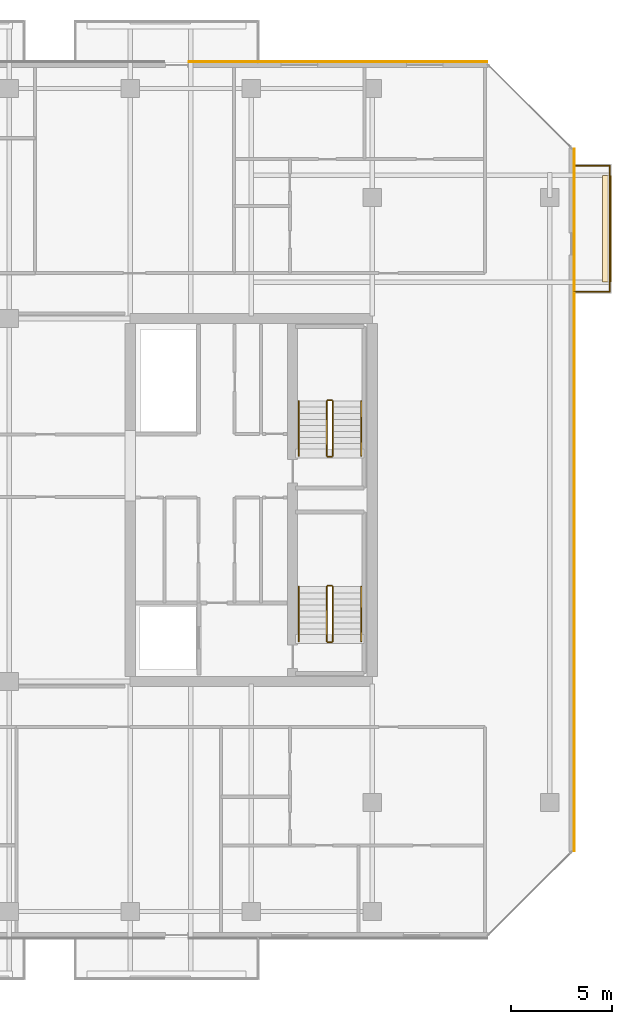
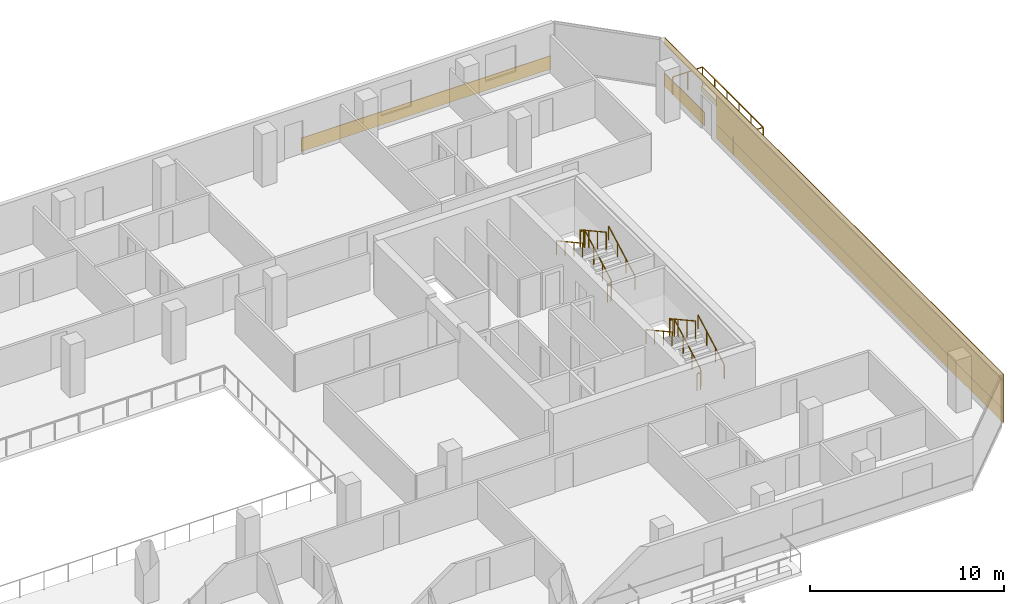
# One storey, part 29 of 29: 13 railings, 6 coverings.
"""IFC4 building model written with IfcOpenShell, lengths in metres."""

from ifc_helpers import new_model, si_unit, direction, frame, origin, origin_2d, place, context, subcontext, project, spatial, polyline, rectangle, outline, extrude, material, layer, layer_set, type_object, element, save


model = new_model("IFC4")

# Units and contexts
model_context = context("Model", 3, precision=1e-05, world=origin(), true_north=direction((0.0, 1.0)))
body_context = subcontext(model_context, "Body", "Model", "MODEL_VIEW")
ifc_project = project(units=[si_unit("LENGTHUNIT", "METRE"), si_unit("AREAUNIT", "SQUARE_METRE"), si_unit("VOLUMEUNIT", "CUBIC_METRE"), si_unit("PLANEANGLEUNIT", "RADIAN"), si_unit("MASSUNIT", "GRAM", prefix="KILO")], contexts=[model_context])

# Site, building, storey
site_placement = place(None, origin())
site = spatial("IfcSite", under=ifc_project, at=site_placement, CompositionType="ELEMENT")
building_placement = place(site_placement, origin())
building = spatial("IfcBuilding", under=site, at=building_placement, Name="Tanjung Sevakor Pilgrim Tower", CompositionType="ELEMENT")
storey_placement = place(building_placement, frame((0.0, 0.0, 151.800048828125)))
storey = spatial("IfcBuildingStorey", under=building, at=storey_placement, Name="L42", CompositionType="ELEMENT", Elevation=151.800048828125)

# Coverings
ifc_material_1 = material(Name="Reconstructed Limestone Cladding", Category="masonry")
ifc_layer_1 = layer(ifc_material_1, 0.044921875)
ifc_layer_set_1 = layer_set([ifc_layer_1], Name="COV-CLAD-LIMESTONE")
covering_type_1 = type_object("IfcCoveringType", Name="COV-CLAD-LIMESTONE", PredefinedType="CLADDING", material=ifc_layer_set_1)
covering_1_placement = place(storey_placement, frame((100.0224609375, 30.94091796875, 0.009765625), z_axis=(0.0, 0.0, 1.0), x_axis=(0.0, 1.0, 0.0)))
element("IfcCovering", 1, at=covering_1_placement, inside=storey, type_object=covering_type_1, Name="L42 Warm Limestone Sill Spandrel EW-L42-MAIN-7-1", PredefinedType="CLADDING", context=body_context, shape_type="SweptSolid", body=[
    extrude(rectangle(XDim=29.498291015625, YDim=0.044921875, at=origin_2d()), origin(), (0.0, 0.0, 1.0), 0.840087890625),
])
covering_2_placement = place(storey_placement, frame((100.0224609375, 48.958984375, 0.009765625), z_axis=(0.0, 0.0, 1.0), x_axis=(0.0, 1.0, 0.0)))
element("IfcCovering", 2, at=covering_2_placement, inside=storey, type_object=covering_type_1, Name="L42 Warm Limestone Sill Spandrel EW-L42-MAIN-7-2", PredefinedType="CLADDING", context=body_context, shape_type="SweptSolid", body=[
    extrude(rectangle(XDim=4.09814453125, YDim=0.044921875, at=origin_2d()), origin(), (0.0, 0.0, 1.0), 0.840087890625),
])
covering_3_placement = place(storey_placement, frame((100.0224609375, 33.60009765625, 2.66015625), z_axis=(0.0, 0.0, 1.0), x_axis=(0.0, 1.0, 0.0)))
element("IfcCovering", 3, at=covering_3_placement, inside=storey, type_object=covering_type_1, Name="L42 Warm Limestone Cornice Spandrel EW-L42-MAIN-7", PredefinedType="CLADDING", context=body_context, shape_type="SweptSolid", body=[
    extrude(rectangle(XDim=34.8564453125, YDim=0.044921875, at=origin_2d()), origin(), (0.0, 0.0, 1.0), 0.409912109375),
])
covering_4_placement = place(storey_placement, frame((100.0224609375, 30.94580078125, 0.849853515625), z_axis=(0.0, 0.0, 1.0), x_axis=(0.0, 1.0, 0.0)))
element("IfcCovering", 4, at=covering_4_placement, inside=storey, type_object=covering_type_1, Name="L42 Warm Limestone Pier Panel EW-L42-MAIN-7-1", PredefinedType="CLADDING", context=body_context, shape_type="SweptSolid", body=[
    extrude(rectangle(XDim=29.50830078125, YDim=0.044921875, at=origin_2d()), origin(), (0.0, 0.0, 1.0), 1.81005859375),
])
covering_5_placement = place(storey_placement, frame((88.30908203125, 55.322509765625, 0.009765625), z_axis=(0.0, 0.0, 1.0), x_axis=(-1.0, 0.0, 0.0)))
element("IfcCovering", 5, at=covering_5_placement, inside=storey, type_object=covering_type_1, Name="L42 Warm Limestone Sill Spandrel EW-L42-MAIN-9-1", PredefinedType="CLADDING", context=body_context, shape_type="SweptSolid", body=[
    extrude(rectangle(XDim=14.798095703125, YDim=0.044921875, at=origin_2d()), origin(), (0.0, 0.0, 1.0), 0.840087890625),
])
ifc_material_2 = material(Name="Vegetated Modular Planter Assembly", Category="organic")
ifc_layer_2 = layer(ifc_material_2, 0.35009765625)
ifc_layer_set_2 = layer_set([ifc_layer_2], Name="COV-GRN-TROUGH")
covering_type_2 = type_object("IfcCoveringType", Name="COV-GRN-TROUGH", PredefinedType="CLADDING", material=ifc_layer_set_2)
covering_6_placement = place(storey_placement, origin())
element("IfcCovering", 6, at=covering_6_placement, inside=storey, type_object=covering_type_2, Name="L42 Planted Landscape Hedge Trough BGRN-L42-MAIN-E1", PredefinedType="CLADDING", context=body_context, shape_type="SweptSolid", body=[
    extrude(outline(polyline([(101.85009765625, 44.39990234375), (101.85009765625, 49.699951171875), (101.409912109375, 49.699951171875), (101.409912109375, 44.39990234375), (101.85009765625, 44.39990234375)])), origin(), (0.0, 0.0, 1.0), 0.349853515625),
])

# Railings
ifc_material_3 = material(Name="Laminated Glass and Aluminium", Category="aluminium")
railing_type_1 = type_object("IfcRailingType", Name="RL-BAL-BALUST", PredefinedType="BALUSTRADE", material=ifc_material_3)
railing_1_placement = place(storey_placement, frame((100.0, 43.929931640625, 0.0)))
element("IfcRailing", 7, at=railing_1_placement, inside=storey, type_object=railing_type_1, Name="L42 Loggia Balustrade MAIN-E1", PredefinedType="BALUSTRADE", context=body_context, shape_type="SweptSolid", body=[
    extrude(rectangle(XDim=0.0479, YDim=0.0479), frame((0.0, 0.0, 1.1259765625), z_axis=(1.0, 0.0, 0.0), x_axis=(0.0, 1.0, 0.0)), (0.0, 0.0, 1.0), 1.77001953125),
    extrude(rectangle(XDim=0.0479, YDim=0.0479), frame((1.77001953125, 0.0, 1.1259765625), z_axis=(0.0, 1.0, 0.0), x_axis=(-1.0, 0.0, 0.0)), (0.0, 0.0, 1.0), 6.239990234375),
    extrude(rectangle(XDim=0.0479, YDim=0.0479), frame((1.77001953125, 6.239990234375, 1.1259765625), z_axis=(-1.0, 0.0, 0.0), x_axis=(0.0, -1.0, 0.0)), (0.0, 0.0, 1.0), 1.77001953125),
    extrude(rectangle(XDim=0.042, YDim=0.042), origin(), (0.0, 0.0, 1.0), 1.101806640625),
    extrude(rectangle(XDim=0.042, YDim=0.042), frame((0.885009765625, 0.0, 0.0)), (0.0, 0.0, 1.0), 1.101806640625),
    extrude(rectangle(XDim=0.042, YDim=0.042), frame((1.77001953125, 0.0, 0.0)), (0.0, 0.0, 1.0), 1.101806640625),
    extrude(rectangle(XDim=0.042, YDim=0.042), frame((1.77001953125, 1.248046875, 0.0)), (0.0, 0.0, 1.0), 1.101806640625),
    extrude(rectangle(XDim=0.042, YDim=0.042), frame((1.77001953125, 2.49609375, 0.0)), (0.0, 0.0, 1.0), 1.101806640625),
    extrude(rectangle(XDim=0.042, YDim=0.042), frame((1.77001953125, 3.743896484375, 0.0)), (0.0, 0.0, 1.0), 1.101806640625),
    extrude(rectangle(XDim=0.042, YDim=0.042), frame((1.77001953125, 4.991943359375, 0.0)), (0.0, 0.0, 1.0), 1.101806640625),
    extrude(rectangle(XDim=0.042, YDim=0.042), frame((1.77001953125, 6.239990234375, 0.0)), (0.0, 0.0, 1.0), 1.101806640625),
    extrude(rectangle(XDim=0.042, YDim=0.042), frame((0.885009765625, 6.239990234375, 0.0)), (0.0, 0.0, 1.0), 1.101806640625),
    extrude(rectangle(XDim=0.042, YDim=0.042), frame((0.0, 6.239990234375, 0.0)), (0.0, 0.0, 1.0), 1.101806640625),
])
ifc_material_4 = material(Name="Steel S355J2", Category="steel")
railing_type_2 = type_object("IfcRailingType", Name="RL-STAIR-GUARD", PredefinedType="GUARDRAIL", material=ifc_material_4)
railing_2_placement = place(storey_placement, frame((88.050048828125, 26.60009765625, 0.1650390625)))
element("IfcRailing", 8, at=railing_2_placement, inside=storey, type_object=railing_type_2, Name="L42 TS-E1 stair guard 1", PredefinedType="GUARDRAIL", context=body_context, shape_type="SweptSolid", body=[
    extrude(rectangle(XDim=0.0479, YDim=0.0479), frame((0.0, 0.0, 1.076171875), z_axis=(0.0, 0.876230963923, 0.481891375584), x_axis=(-1.0, 0.0, 0.0)), (0.0, 0.0, 1.0), 3.081298828125),
    extrude(rectangle(XDim=0.042, YDim=0.042), origin(), (0.0, 0.0, 1.0), 1.052001953125),
    extrude(rectangle(XDim=0.042, YDim=0.042), frame((0.0, 0.89990234375, 0.494873046875)), (0.0, 0.0, 1.0), 1.052001953125),
    extrude(rectangle(XDim=0.042, YDim=0.042), frame((0.0, 1.800048828125, 0.989990234375)), (0.0, 0.0, 1.0), 1.052001953125),
    extrude(rectangle(XDim=0.042, YDim=0.042), frame((0.0, 2.699951171875, 1.48486328125)), (0.0, 0.0, 1.0), 1.052001953125),
])
railing_3_placement = place(storey_placement, frame((88.0, 29.35009765625, 1.64990234375)))
element("IfcRailing", 9, at=railing_3_placement, inside=storey, type_object=railing_type_2, Name="L42 TS-E1 stair guard 2", PredefinedType="GUARDRAIL", context=body_context, shape_type="SweptSolid", body=[
    extrude(rectangle(XDim=0.0479, YDim=0.0479), frame((0.0, 0.0, 1.076171875), z_axis=(-1.0, 0.0, 0.0), x_axis=(0.0, -1.0, 0.0)), (0.0, 0.0, 1.0), 0.199951171875),
    extrude(rectangle(XDim=0.042, YDim=0.042), origin(), (0.0, 0.0, 1.0), 1.052001953125),
    extrude(rectangle(XDim=0.042, YDim=0.042), frame((-0.199951171875, 0.0, 0.0)), (0.0, 0.0, 1.0), 1.052001953125),
])
railing_4_placement = place(storey_placement, frame((87.75, 29.300048828125, 1.81494140625)))
element("IfcRailing", 10, at=railing_4_placement, inside=storey, type_object=railing_type_2, Name="L42 TS-E1 stair guard 3", PredefinedType="GUARDRAIL", context=body_context, shape_type="SweptSolid", body=[
    extrude(rectangle(XDim=0.0479, YDim=0.0479), frame((0.0, 0.0, 1.076171875), z_axis=(0.0, -0.876197507361, 0.481952205197), x_axis=(1.0, 0.0, 0.0)), (0.0, 0.0, 1.0), 3.08154296875),
    extrude(rectangle(XDim=0.042, YDim=0.042), origin(), (0.0, 0.0, 1.0), 1.052001953125),
    extrude(rectangle(XDim=0.042, YDim=0.042), frame((0.0, -0.89990234375, 0.4951171875)), (0.0, 0.0, 1.0), 1.052001953125),
    extrude(rectangle(XDim=0.042, YDim=0.042), frame((0.0, -1.800048828125, 0.989990234375)), (0.0, 0.0, 1.0), 1.052001953125),
    extrude(rectangle(XDim=0.042, YDim=0.042), frame((0.0, -2.699951171875, 1.485107421875)), (0.0, 0.0, 1.0), 1.052001953125),
])
railing_5_placement = place(storey_placement, frame((88.0, 26.550048828125, 0.0)))
element("IfcRailing", 11, at=railing_5_placement, inside=storey, type_object=railing_type_2, Name="L42 TS-E1 stair guard 4", PredefinedType="GUARDRAIL", context=body_context, shape_type="SweptSolid", body=[
    extrude(rectangle(XDim=0.0479, YDim=0.0479), frame((0.0, 0.0, 1.076171875), z_axis=(-1.0, 0.0, 0.0), x_axis=(0.0, -1.0, 0.0)), (0.0, 0.0, 1.0), 0.199951171875),
    extrude(rectangle(XDim=0.042, YDim=0.042), origin(), (0.0, 0.0, 1.0), 1.052001953125),
    extrude(rectangle(XDim=0.042, YDim=0.042), frame((-0.199951171875, 0.0, 0.0)), (0.0, 0.0, 1.0), 1.052001953125),
])
railing_6_placement = place(storey_placement, frame((88.050048828125, 35.800048828125, 0.1650390625)))
element("IfcRailing", 12, at=railing_6_placement, inside=storey, type_object=railing_type_2, Name="L42 TS-E2 stair guard 1", PredefinedType="GUARDRAIL", context=body_context, shape_type="SweptSolid", body=[
    extrude(rectangle(XDim=0.0479, YDim=0.0479), frame((0.0, 0.0, 1.076171875), z_axis=(0.0, 0.876230963923, 0.481891375584), x_axis=(-1.0, 0.0, 0.0)), (0.0, 0.0, 1.0), 3.081298828125),
    extrude(rectangle(XDim=0.042, YDim=0.042), origin(), (0.0, 0.0, 1.0), 1.052001953125),
    extrude(rectangle(XDim=0.042, YDim=0.042), frame((0.0, 0.89990234375, 0.494873046875)), (0.0, 0.0, 1.0), 1.052001953125),
    extrude(rectangle(XDim=0.042, YDim=0.042), frame((0.0, 1.800048828125, 0.989990234375)), (0.0, 0.0, 1.0), 1.052001953125),
    extrude(rectangle(XDim=0.042, YDim=0.042), frame((0.0, 2.699951171875, 1.48486328125)), (0.0, 0.0, 1.0), 1.052001953125),
])
railing_7_placement = place(storey_placement, frame((88.0, 38.550048828125, 1.64990234375)))
element("IfcRailing", 13, at=railing_7_placement, inside=storey, type_object=railing_type_2, Name="L42 TS-E2 stair guard 2", PredefinedType="GUARDRAIL", context=body_context, shape_type="SweptSolid", body=[
    extrude(rectangle(XDim=0.0479, YDim=0.0479), frame((0.0, 0.0, 1.076171875), z_axis=(-1.0, 0.0, 0.0), x_axis=(0.0, -1.0, 0.0)), (0.0, 0.0, 1.0), 0.199951171875),
    extrude(rectangle(XDim=0.042, YDim=0.042), origin(), (0.0, 0.0, 1.0), 1.052001953125),
    extrude(rectangle(XDim=0.042, YDim=0.042), frame((-0.199951171875, 0.0, 0.0)), (0.0, 0.0, 1.0), 1.052001953125),
])
railing_8_placement = place(storey_placement, frame((87.75, 38.5, 1.81494140625)))
element("IfcRailing", 14, at=railing_8_placement, inside=storey, type_object=railing_type_2, Name="L42 TS-E2 stair guard 3", PredefinedType="GUARDRAIL", context=body_context, shape_type="SweptSolid", body=[
    extrude(rectangle(XDim=0.0479, YDim=0.0479), frame((0.0, 0.0, 1.076171875), z_axis=(0.0, -0.876197507361, 0.481952205197), x_axis=(1.0, 0.0, 0.0)), (0.0, 0.0, 1.0), 3.08154296875),
    extrude(rectangle(XDim=0.042, YDim=0.042), origin(), (0.0, 0.0, 1.0), 1.052001953125),
    extrude(rectangle(XDim=0.042, YDim=0.042), frame((0.0, -0.89990234375, 0.4951171875)), (0.0, 0.0, 1.0), 1.052001953125),
    extrude(rectangle(XDim=0.042, YDim=0.042), frame((0.0, -1.800048828125, 0.989990234375)), (0.0, 0.0, 1.0), 1.052001953125),
    extrude(rectangle(XDim=0.042, YDim=0.042), frame((0.0, -2.699951171875, 1.485107421875)), (0.0, 0.0, 1.0), 1.052001953125),
])
railing_9_placement = place(storey_placement, frame((88.0, 35.75, 0.0)))
element("IfcRailing", 15, at=railing_9_placement, inside=storey, type_object=railing_type_2, Name="L42 TS-E2 stair guard 4", PredefinedType="GUARDRAIL", context=body_context, shape_type="SweptSolid", body=[
    extrude(rectangle(XDim=0.0479, YDim=0.0479), frame((0.0, 0.0, 1.076171875), z_axis=(-1.0, 0.0, 0.0), x_axis=(0.0, -1.0, 0.0)), (0.0, 0.0, 1.0), 0.199951171875),
    extrude(rectangle(XDim=0.042, YDim=0.042), origin(), (0.0, 0.0, 1.0), 1.052001953125),
    extrude(rectangle(XDim=0.042, YDim=0.042), frame((-0.199951171875, 0.0, 0.0)), (0.0, 0.0, 1.0), 1.052001953125),
])
ifc_material_5 = material(Name="Steel S355J2", Category="steel")
railing_type_3 = type_object("IfcRailingType", Name="RL-STAIR-HAND", PredefinedType="HANDRAIL", material=ifc_material_5)
railing_10_placement = place(storey_placement, frame((89.449951171875, 26.60009765625, 0.1650390625)))
element("IfcRailing", 16, at=railing_10_placement, inside=storey, type_object=railing_type_3, Name="L42 TS-E1 stair handrail 1", PredefinedType="HANDRAIL", context=body_context, shape_type="SweptSolid", body=[
    extrude(rectangle(XDim=0.0479, YDim=0.0479), frame((0.0, 0.0, 0.8759765625), z_axis=(0.0, 0.876230963923, 0.481891375584), x_axis=(-1.0, 0.0, 0.0)), (0.0, 0.0, 1.0), 3.081298828125),
    extrude(rectangle(XDim=0.042, YDim=0.042), origin(), (0.0, 0.0, 1.0), 0.851806640625),
    extrude(rectangle(XDim=0.042, YDim=0.042), frame((0.0, 0.89990234375, 0.494873046875)), (0.0, 0.0, 1.0), 0.851806640625),
    extrude(rectangle(XDim=0.042, YDim=0.042), frame((0.0, 1.800048828125, 0.989990234375)), (0.0, 0.0, 1.0), 0.851806640625),
    extrude(rectangle(XDim=0.042, YDim=0.042), frame((0.0, 2.699951171875, 1.48486328125)), (0.0, 0.0, 1.0), 0.851806640625),
])
railing_11_placement = place(storey_placement, frame((86.35009765625, 29.300048828125, 1.81494140625)))
element("IfcRailing", 17, at=railing_11_placement, inside=storey, type_object=railing_type_3, Name="L42 TS-E1 stair handrail 2", PredefinedType="HANDRAIL", context=body_context, shape_type="SweptSolid", body=[
    extrude(rectangle(XDim=0.0479, YDim=0.0479), frame((0.0, 0.0, 0.8759765625), z_axis=(0.0, -0.876197507361, 0.481952205197), x_axis=(1.0, 0.0, 0.0)), (0.0, 0.0, 1.0), 3.08154296875),
    extrude(rectangle(XDim=0.042, YDim=0.042), origin(), (0.0, 0.0, 1.0), 0.851806640625),
    extrude(rectangle(XDim=0.042, YDim=0.042), frame((0.0, -0.89990234375, 0.4951171875)), (0.0, 0.0, 1.0), 0.851806640625),
    extrude(rectangle(XDim=0.042, YDim=0.042), frame((0.0, -1.800048828125, 0.989990234375)), (0.0, 0.0, 1.0), 0.851806640625),
    extrude(rectangle(XDim=0.042, YDim=0.042), frame((0.0, -2.699951171875, 1.485107421875)), (0.0, 0.0, 1.0), 0.851806640625),
])
railing_12_placement = place(storey_placement, frame((89.449951171875, 35.800048828125, 0.1650390625)))
element("IfcRailing", 18, at=railing_12_placement, inside=storey, type_object=railing_type_3, Name="L42 TS-E2 stair handrail 1", PredefinedType="HANDRAIL", context=body_context, shape_type="SweptSolid", body=[
    extrude(rectangle(XDim=0.0479, YDim=0.0479), frame((0.0, 0.0, 0.8759765625), z_axis=(0.0, 0.876230963923, 0.481891375584), x_axis=(-1.0, 0.0, 0.0)), (0.0, 0.0, 1.0), 3.081298828125),
    extrude(rectangle(XDim=0.042, YDim=0.042), origin(), (0.0, 0.0, 1.0), 0.851806640625),
    extrude(rectangle(XDim=0.042, YDim=0.042), frame((0.0, 0.89990234375, 0.494873046875)), (0.0, 0.0, 1.0), 0.851806640625),
    extrude(rectangle(XDim=0.042, YDim=0.042), frame((0.0, 1.800048828125, 0.989990234375)), (0.0, 0.0, 1.0), 0.851806640625),
    extrude(rectangle(XDim=0.042, YDim=0.042), frame((0.0, 2.699951171875, 1.48486328125)), (0.0, 0.0, 1.0), 0.851806640625),
])
railing_13_placement = place(storey_placement, frame((86.35009765625, 38.5, 1.81494140625)))
element("IfcRailing", 19, at=railing_13_placement, inside=storey, type_object=railing_type_3, Name="L42 TS-E2 stair handrail 2", PredefinedType="HANDRAIL", context=body_context, shape_type="SweptSolid", body=[
    extrude(rectangle(XDim=0.0479, YDim=0.0479), frame((0.0, 0.0, 0.8759765625), z_axis=(0.0, -0.876197507361, 0.481952205197), x_axis=(1.0, 0.0, 0.0)), (0.0, 0.0, 1.0), 3.08154296875),
    extrude(rectangle(XDim=0.042, YDim=0.042), origin(), (0.0, 0.0, 1.0), 0.851806640625),
    extrude(rectangle(XDim=0.042, YDim=0.042), frame((0.0, -0.89990234375, 0.4951171875)), (0.0, 0.0, 1.0), 0.851806640625),
    extrude(rectangle(XDim=0.042, YDim=0.042), frame((0.0, -1.800048828125, 0.989990234375)), (0.0, 0.0, 1.0), 0.851806640625),
    extrude(rectangle(XDim=0.042, YDim=0.042), frame((0.0, -2.699951171875, 1.485107421875)), (0.0, 0.0, 1.0), 0.851806640625),
])

save(model, "model.ifc")
